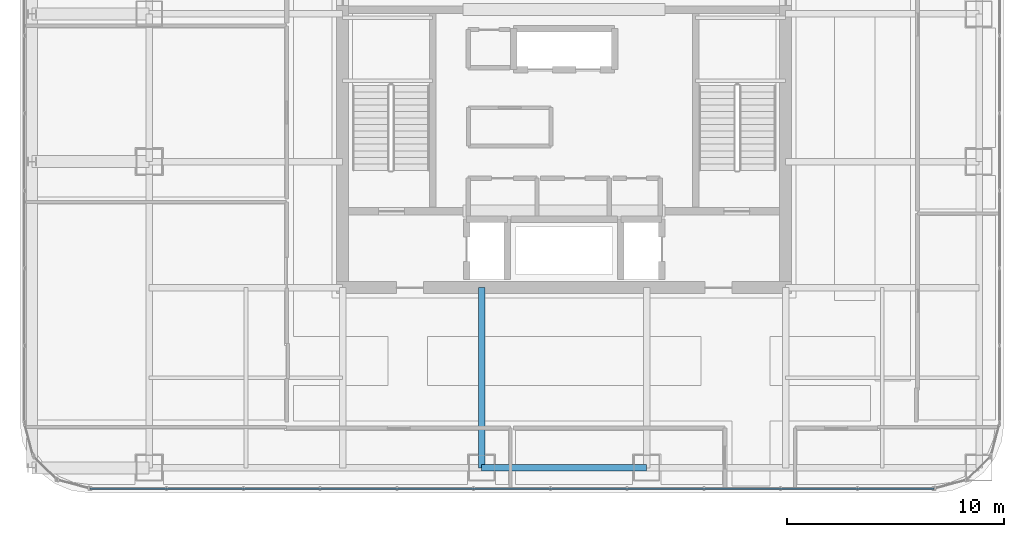
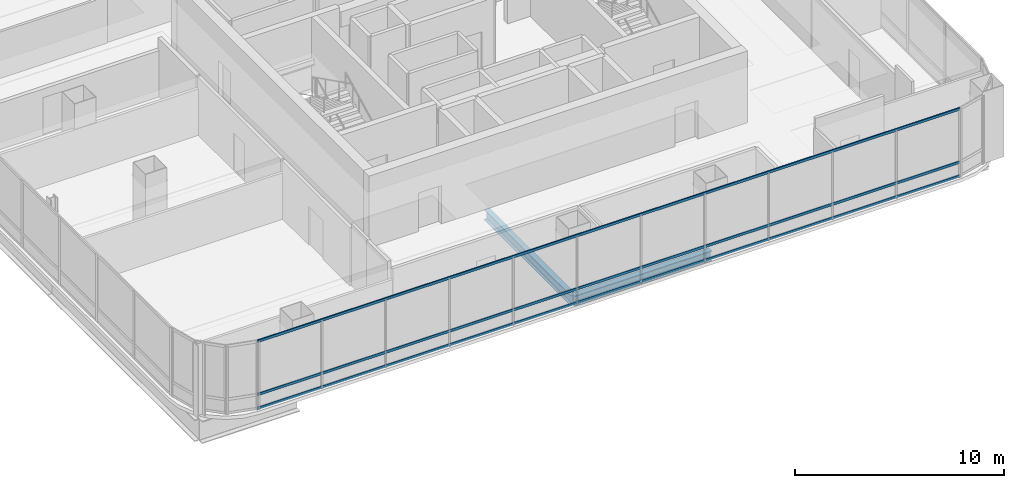
# One storey, part 8 of 41: 3 members, 2 beams, 1 element without a shape of its own.
"""IFC4 building model written with IfcOpenShell, lengths in metres."""

from ifc_helpers import new_model, si_unit, direction, frame, origin, origin_2d, place, context, subcontext, project, spatial, hollow_rectangle, i_section, extrude, material, material_profile, profile_set, type_object, element, aggregate, save


model = new_model("IFC4")

# Units and contexts
model_context = context("Model", 3, precision=1e-05, world=origin(), true_north=direction((0.0, 1.0)))
body_context = subcontext(model_context, "Body", "Model", "MODEL_VIEW")
ifc_project = project(units=[si_unit("LENGTHUNIT", "METRE"), si_unit("AREAUNIT", "SQUARE_METRE"), si_unit("VOLUMEUNIT", "CUBIC_METRE"), si_unit("PLANEANGLEUNIT", "RADIAN"), si_unit("MASSUNIT", "GRAM", prefix="KILO")], contexts=[model_context])

# Site, building, storey
site_placement = place(None, origin())
site = spatial("IfcSite", under=ifc_project, at=site_placement, CompositionType="ELEMENT")
building_placement = place(site_placement, origin())
building = spatial("IfcBuilding", under=site, at=building_placement, Name="Punatoya Terracotta Tower", CompositionType="ELEMENT")
storey_placement = place(building_placement, frame((0.0, 0.0, 309.0)))
storey = spatial("IfcBuildingStorey", under=building, at=storey_placement, Name="L73", CompositionType="ELEMENT", Elevation=309.0)

# Beams
ifc_material_1 = material(Name="Steel S355", Category="steel")
ifc_material_profile_1 = material_profile(ifc_material_1, i_section(OverallWidth=0.300048828125, OverallDepth=0.60009765625, WebThickness=0.015380859375, FlangeThickness=0.030029296875, FilletRadius=0.01806640625, at=origin_2d()))
ifc_profile_set_1 = profile_set([ifc_material_profile_1], Name="Steel S355")
beam_type = type_object("IfcBeamType", Name="BM-PRI-600", PredefinedType="BEAM", material=ifc_profile_set_1)
beam_1_placement = place(storey_placement, frame((-3.800048828125, -17.5, -0.5), z_axis=(1.0, 0.0, 0.0), x_axis=(0.0, 1.0, 0.0)))
element("IfcBeam", 1, at=beam_1_placement, inside=storey, type_object=beam_type, Name="BM-L73-RG-S2", PredefinedType="BEAM", context=body_context, shape_type="SweptSolid", body=[
    extrude(i_section(OverallWidth=0.300048828125, OverallDepth=0.60009765625, WebThickness=0.015380859375, FlangeThickness=0.030029296875, FilletRadius=0.01806640625, at=origin_2d()), origin(), (0.0, 0.0, 1.0), 7.60009765625),
])
beam_2_placement = place(storey_placement, frame((-3.800048828125, -17.5, -0.5), z_axis=(0.0, 1.0, 0.0), x_axis=(-1.0, 0.0, 0.0)))
element("IfcBeam", 2, at=beam_2_placement, inside=storey, type_object=beam_type, Name="BM-L73-PR-S2", PredefinedType="BEAM", context=body_context, shape_type="SweptSolid", body=[
    extrude(i_section(OverallWidth=0.300048828125, OverallDepth=0.60009765625, WebThickness=0.015380859375, FlangeThickness=0.030029296875, FilletRadius=0.01806640625, at=origin_2d()), origin(), (0.0, 0.0, 1.0), 8.300048828125),
])

# Curtain wall, members
ifc_material_2 = material(Name="Aluminium 6063-T6 + Double Low-E Glass", Category="aluminium")
curtain_wall_type = type_object("IfcCurtainWallType", Name="CW-M3", PredefinedType="NOTDEFINED", material=ifc_material_2)
curtain_wall_placement = place(storey_placement, origin())
curtain_wall = element("IfcCurtainWall", 3, at=curtain_wall_placement, inside=storey, type_object=curtain_wall_type, Name="L73 Curtain Wall CW-L73-S01-1", PredefinedType="NOTDEFINED")
ifc_material_3 = material(Name="Aluminium 6063-T6", Category="aluminium")
ifc_material_profile_2 = material_profile(ifc_material_3, hollow_rectangle(XDim=0.068115234375, YDim=0.14990234375, WallThickness=0.00390625, at=origin_2d()))
ifc_profile_set_2 = profile_set([ifc_material_profile_2], Name="Aluminium 6063-T6")
member_type = type_object("IfcMemberType", Name="CW-TRN-TYP", PredefinedType="USERDEFINED", material=ifc_profile_set_2)
member_1_placement = place(storey_placement, frame((-21.8369140625, -18.449951171875, 0.0400390625), z_axis=(1.0, 0.0, 0.0), x_axis=(0.0, 1.0, 0.0)))
member_1 = element("IfcMember", 4, at=member_1_placement, type_object=member_type, Name="CW-L73-S01-1 Transom 1", ObjectType="TRANSOM", PredefinedType="USERDEFINED", context=body_context, shape_type="SweptSolid", body=[
    extrude(hollow_rectangle(XDim=0.068115234375, YDim=0.14990234375, WallThickness=0.00390625, at=origin_2d()), origin(), (0.0, 0.0, 1.0), 38.873779296875),
])
member_2_placement = place(storey_placement, frame((-21.8369140625, -18.449951171875, 0.85009765625), z_axis=(1.0, 0.0, 0.0), x_axis=(0.0, 1.0, 0.0)))
member_2 = element("IfcMember", 5, at=member_2_placement, type_object=member_type, Name="CW-L73-S01-1 Transom 2", ObjectType="TRANSOM", PredefinedType="USERDEFINED", context=body_context, shape_type="SweptSolid", body=[
    extrude(hollow_rectangle(XDim=0.068115234375, YDim=0.14990234375, WallThickness=0.00390625, at=origin_2d()), origin(), (0.0, 0.0, 1.0), 38.873779296875),
])
member_3_placement = place(storey_placement, frame((-21.8369140625, -18.449951171875, 3.9599609375), z_axis=(1.0, 0.0, 0.0), x_axis=(0.0, 1.0, 0.0)))
member_3 = element("IfcMember", 6, at=member_3_placement, type_object=member_type, Name="CW-L73-S01-1 Transom 3", ObjectType="TRANSOM", PredefinedType="USERDEFINED", context=body_context, shape_type="SweptSolid", body=[
    extrude(hollow_rectangle(XDim=0.068115234375, YDim=0.14990234375, WallThickness=0.00390625, at=origin_2d()), origin(), (0.0, 0.0, 1.0), 38.873779296875),
])
aggregate(curtain_wall, [member_1, member_2, member_3])

save(model, "model.ifc")
